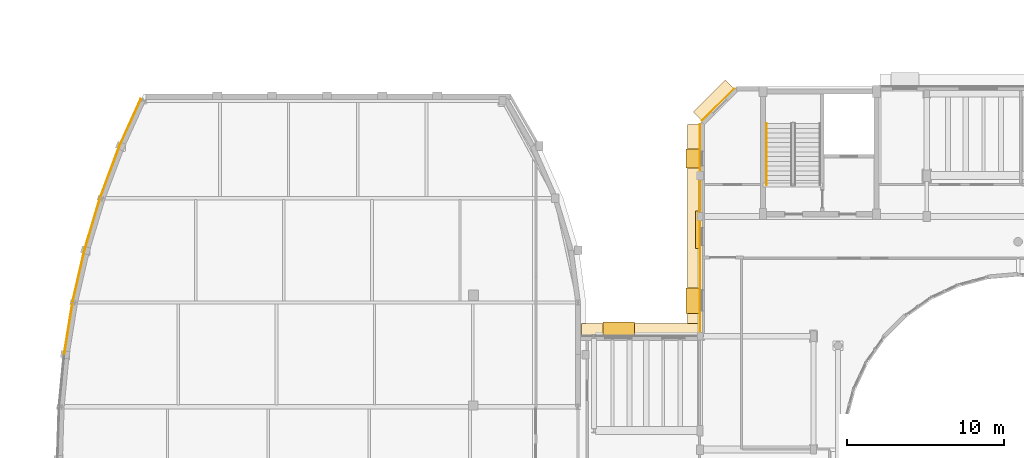
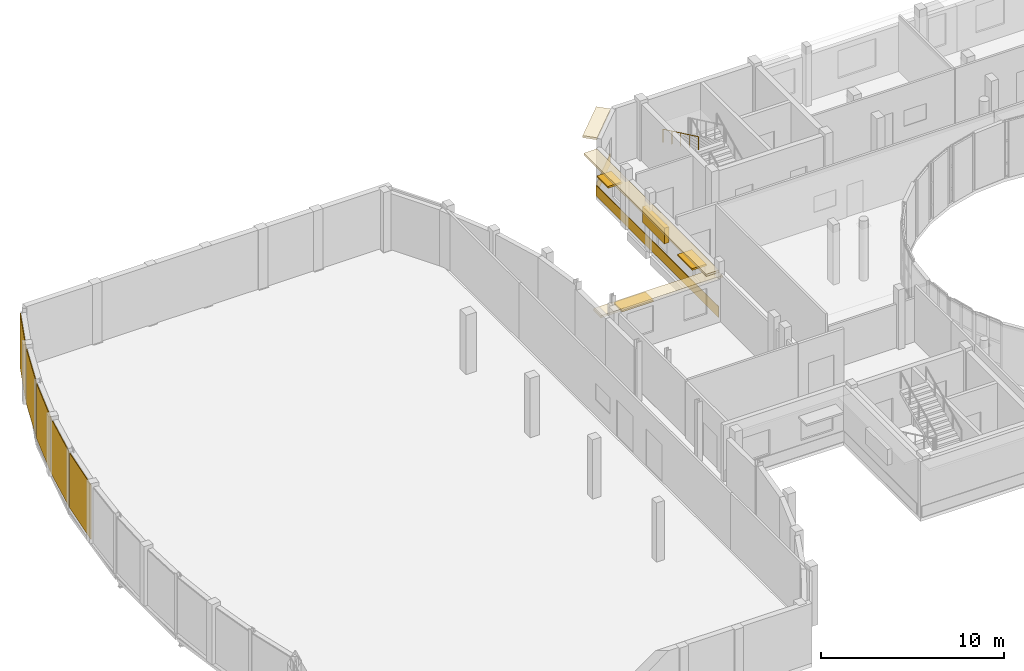
# One storey, part 98 of 105: 10 coverings, 4 shading devices, 1 railing.
"""IFC4 building model written with IfcOpenShell, lengths in metres."""

from ifc_helpers import new_model, si_unit, direction, frame, origin, origin_2d, place, context, subcontext, project, spatial, rectangle, circle, extrude, material, layer, layer_set, type_object, element, save


model = new_model("IFC4")

# Units and contexts
model_context = context("Model", 3, precision=1e-05, world=origin(), true_north=direction((0.0, 1.0)))
body_context = subcontext(model_context, "Body", "Model", "MODEL_VIEW")
ifc_project = project(units=[si_unit("LENGTHUNIT", "METRE"), si_unit("AREAUNIT", "SQUARE_METRE"), si_unit("VOLUMEUNIT", "CUBIC_METRE"), si_unit("PLANEANGLEUNIT", "RADIAN"), si_unit("MASSUNIT", "GRAM", prefix="KILO")], contexts=[model_context])

# Site, building, storey
site_placement = place(None, origin())
site = spatial("IfcSite", under=ifc_project, at=site_placement, CompositionType="ELEMENT")
building_placement = place(site_placement, origin())
building = spatial("IfcBuilding", under=site, at=building_placement, Name="Kelanivale Promenade Academy", CompositionType="ELEMENT")
storey_placement = place(building_placement, frame((0.0, 0.0, 4.199951171875)))
storey = spatial("IfcBuildingStorey", under=building, at=storey_placement, Name="L01", CompositionType="ELEMENT", Elevation=4.199951171875)

# Coverings
ifc_material_1 = material(Name="Sri Lankan terracotta fluted rainscreen cladding 45 mm", Category="masonry")
ifc_layer_1 = layer(ifc_material_1, 0.044921875)
ifc_layer_set_1 = layer_set([ifc_layer_1], Name="Sri Lankan terracotta fluted rainscreen cladding 45 mm")
covering_type_1 = type_object("IfcCoveringType", Name="COV-CLD1 Sri Lankan terracotta fluted rainscr", PredefinedType="CLADDING", material=ifc_layer_set_1)
covering_1_placement = place(storey_placement, frame((3.073974609375, 64.512939453125, 0.03955078125), z_axis=(0.0, 0.0, 1.0), x_axis=(-0.15936430246, -0.987219843349, 0.0)))
element("IfcCovering", 1, at=covering_1_placement, inside=storey, type_object=covering_type_1, Name="Sports Hall Crescent Pavilion fluted terracotta cladding panel", PredefinedType="CLADDING", context=body_context, shape_type="SweptSolid", body=[
    extrude(rectangle(XDim=3.277099609375, YDim=0.044921875, at=origin_2d()), origin(), (0.0, 0.0, 1.0), 3.6650390625),
])
covering_2_placement = place(storey_placement, frame((3.722900390625, 67.837890625, 0.03955078125), z_axis=(0.0, 0.0, 1.0), x_axis=(-0.223250116011, -0.974761194191, 0.0)))
element("IfcCovering", 2, at=covering_2_placement, inside=storey, type_object=covering_type_1, Name="Sports Hall Crescent Pavilion fluted terracotta cladding panel", PredefinedType="CLADDING", context=body_context, shape_type="SweptSolid", body=[
    extrude(rectangle(XDim=3.320068359375, YDim=0.044921875, at=origin_2d()), origin(), (0.0, 0.0, 1.0), 3.6650390625),
])
covering_3_placement = place(storey_placement, frame((4.60205078125, 71.1630859375, 0.03955078125), z_axis=(0.0, 0.0, 1.0), x_axis=(-0.287026159226, -0.957922744234, 0.0)))
element("IfcCovering", 3, at=covering_3_placement, inside=storey, type_object=covering_type_1, Name="Sports Hall Crescent Pavilion fluted terracotta cladding panel", PredefinedType="CLADDING", context=body_context, shape_type="SweptSolid", body=[
    extrude(rectangle(XDim=3.3798828125, YDim=0.044921875, at=origin_2d()), origin(), (0.0, 0.0, 1.0), 3.6650390625),
])
covering_4_placement = place(storey_placement, frame((5.722900390625, 74.488037109375, 0.03955078125), z_axis=(0.0, 0.0, 1.0), x_axis=(-0.350861216412, -0.936427470132, 0.0)))
element("IfcCovering", 4, at=covering_4_placement, inside=storey, type_object=covering_type_1, Name="Sports Hall Crescent Pavilion fluted terracotta cladding panel", PredefinedType="CLADDING", context=body_context, shape_type="SweptSolid", body=[
    extrude(rectangle(XDim=3.4599609375, YDim=0.044921875, at=origin_2d()), origin(), (0.0, 0.0, 1.0), 3.6650390625),
])
covering_5_placement = place(storey_placement, frame((7.02001953125, 77.631103515625, 0.03955078125), z_axis=(0.0, 0.0, 1.0), x_axis=(-0.414375580993, -0.910105970685, 0.0)))
element("IfcCovering", 5, at=covering_5_placement, inside=storey, type_object=covering_type_1, Name="Sports Hall Crescent Pavilion fluted terracotta cladding panel", PredefinedType="CLADDING", context=body_context, shape_type="SweptSolid", body=[
    extrude(rectangle(XDim=3.160888671875, YDim=0.044921875, at=origin_2d()), origin(), (0.0, 0.0, 1.0), 3.6650390625),
])
ifc_material_2 = material(Name="Warm ivory Art Deco stucco frieze band 40 mm", Category="masonry")
ifc_layer_2 = layer(ifc_material_2, 0.0400390625)
ifc_layer_set_2 = layer_set([ifc_layer_2], Name="Warm ivory Art Deco stucco frieze band 40 mm")
covering_type_2 = type_object("IfcCoveringType", Name="COV-CLD2 Warm ivory Art Deco stucco frieze ba", PredefinedType="CLADDING", material=ifc_layer_set_2)
covering_6_placement = place(storey_placement, frame((44.072021484375, 78.97802734375, 3.6201171875), z_axis=(0.0, 0.0, 1.0), x_axis=(-0.707106781187, -0.707106781187, 0.0)))
element("IfcCovering", 6, at=covering_6_placement, inside=storey, type_object=covering_type_2, Name="Art Deco projecting 820 mm streamline sunshade eyebrow ledge", PredefinedType="CLADDING", context=body_context, shape_type="SweptSolid", body=[
    extrude(rectangle(XDim=2.865966796875, YDim=0.820068359375, at=origin_2d()), origin(), (0.0, 0.0, 1.0), 0.139892578125),
])
covering_7_placement = place(storey_placement, frame((44.343994140625, 78.7060546875, 0.06005859375), z_axis=(0.0, 0.0, 1.0), x_axis=(-0.707106781187, -0.707106781187, 0.0)))
element("IfcCovering", 7, at=covering_7_placement, inside=storey, type_object=covering_type_2, Name="Art Deco ivory stucco sill frieze band", PredefinedType="CLADDING", context=body_context, shape_type="SweptSolid", body=[
    extrude(rectangle(XDim=2.865966796875, YDim=0.0400390625, at=origin_2d()), origin(), (0.0, 0.0, 1.0), 0.719970703125),
])
covering_8_placement = place(storey_placement, frame((42.800048828125, 70.76904296875, 3.06494140625), z_axis=(0.0, 0.0, 1.0), x_axis=(0.0, -1.0, 0.0)))
element("IfcCovering", 8, at=covering_8_placement, inside=storey, type_object=covering_type_2, Name="Art Deco projecting 820 mm streamline sunshade eyebrow ledge", PredefinedType="CLADDING", context=body_context, shape_type="SweptSolid", body=[
    extrude(rectangle(XDim=13.3779296875, YDim=0.820068359375, at=origin_2d()), origin(), (0.0, 0.0, 1.0), 0.139892578125),
])
covering_9_placement = place(storey_placement, frame((43.18505859375, 70.76904296875, 0.06005859375), z_axis=(0.0, 0.0, 1.0), x_axis=(0.0, -1.0, 0.0)))
element("IfcCovering", 9, at=covering_9_placement, inside=storey, type_object=covering_type_2, Name="Art Deco ivory stucco sill frieze band", PredefinedType="CLADDING", context=body_context, shape_type="SweptSolid", body=[
    extrude(rectangle(XDim=13.3779296875, YDim=0.0400390625, at=origin_2d()), origin(), (0.0, 0.0, 1.0), 0.719970703125),
])
covering_10_placement = place(storey_placement, frame((39.5400390625, 64.39990234375, 2.7001953125), z_axis=(0.0, 0.0, 1.0), x_axis=(-1.0, 0.0, 0.0)))
element("IfcCovering", 10, at=covering_10_placement, inside=storey, type_object=covering_type_2, Name="Art Deco projecting 820 mm streamline sunshade eyebrow ledge", PredefinedType="CLADDING", context=body_context, shape_type="SweptSolid", body=[
    extrude(rectangle(XDim=7.719970703125, YDim=0.820068359375, at=origin_2d()), origin(), (0.0, 0.0, 1.0), 0.139892578125),
])

# Railing
ifc_material_3 = material(Name="Brushed stainless steel grade 316", Category="steel")
railing_type = type_object("IfcRailingType", Name="HR-01 Pitch Handrail 900mm", PredefinedType="HANDRAIL", material=ifc_material_3)
railing_placement = place(storey_placement, frame((47.4150390625, 77.5048828125, 2.142822265625)))
element("IfcRailing", 11, at=railing_placement, inside=storey, type_object=railing_type, Name="L01 ST-04 stair handrail 2", PredefinedType="HANDRAIL", context=body_context, shape_type="SweptSolid", body=[
    extrude(circle(Radius=0.02392578125, at=origin_2d()), frame((0.0, 0.0, 0.8759765625), z_axis=(0.0, -0.902853205547, 0.429948937937), x_axis=(1.0, 0.0, 0.0)), (0.0, 0.0, 1.0), 4.319580078125),
    extrude(circle(Radius=0.02099609375, at=origin_2d()), origin(), (0.0, 0.0, 1.0), 0.851806640625),
    extrude(circle(Radius=0.02099609375, at=origin_2d()), frame((0.0, -0.97509765625, 0.46435546875)), (0.0, 0.0, 1.0), 0.851806640625),
    extrude(circle(Radius=0.02099609375, at=origin_2d()), frame((0.0, -1.949951171875, 0.9287109375)), (0.0, 0.0, 1.0), 0.851806640625),
    extrude(circle(Radius=0.02099609375, at=origin_2d()), frame((0.0, -2.9248046875, 1.392822265625)), (0.0, 0.0, 1.0), 0.851806640625),
    extrude(circle(Radius=0.02099609375, at=origin_2d()), frame((0.0, -3.89990234375, 1.857177734375)), (0.0, 0.0, 1.0), 0.851806640625),
])

# Shading devices
ifc_material_4 = material(Name="Precast concrete C40/50", Category="concrete")
ifc_layer_3 = layer(ifc_material_4, 0.1201171875)
ifc_layer_set_3 = layer_set([ifc_layer_3], Name="Precast concrete C40/50")
shading_device_type_1 = type_object("IfcShadingDeviceType", Name="SHD-01 Art Deco Sunshade Eyebrow 900mm", PredefinedType="USERDEFINED", material=ifc_layer_set_3)
shading_device_1_placement = place(storey_placement, frame((42.760009765625, 75.281982421875, 2.56005859375), z_axis=(0.0, 0.0, 1.0), x_axis=(0.0, -1.0, 0.0)))
element("IfcShadingDevice", 12, at=shading_device_1_placement, inside=storey, type_object=shading_device_type_1, Name="Art Deco 900 mm precast chajja window sunshade", ObjectType="SUNSHADE", PredefinedType="USERDEFINED", context=body_context, shape_type="SweptSolid", body=[
    extrude(rectangle(XDim=1.199951171875, YDim=0.89990234375, at=origin_2d()), origin(), (0.0, 0.0, 1.0), 0.1201171875),
])
shading_device_2_placement = place(storey_placement, frame((42.760009765625, 66.256103515625, 2.659912109375), z_axis=(0.0, 0.0, 1.0), x_axis=(0.0, -1.0, 0.0)))
element("IfcShadingDevice", 13, at=shading_device_2_placement, inside=storey, type_object=shading_device_type_1, Name="Art Deco 900 mm precast chajja window sunshade", ObjectType="SUNSHADE", PredefinedType="USERDEFINED", context=body_context, shape_type="SweptSolid", body=[
    extrude(rectangle(XDim=1.60009765625, YDim=0.89990234375, at=origin_2d()), origin(), (0.0, 0.0, 1.0), 0.1201171875),
])
shading_device_3_placement = place(storey_placement, frame((38.02001953125, 64.43994140625, 2.610107421875), z_axis=(0.0, 0.0, 1.0), x_axis=(-1.0, 0.0, 0.0)))
element("IfcShadingDevice", 14, at=shading_device_3_placement, inside=storey, type_object=shading_device_type_1, Name="Art Deco 900 mm precast chajja window sunshade", ObjectType="SUNSHADE", PredefinedType="USERDEFINED", context=body_context, shape_type="SweptSolid", body=[
    extrude(rectangle(XDim=2.0, YDim=0.89990234375, at=origin_2d()), origin(), (0.0, 0.0, 1.0), 0.1201171875),
])
ifc_material_5 = material(Name="Bronze anodised aluminium EN AW-6063 T6", Category="aluminium")
ifc_layer_4 = layer(ifc_material_5, 0.080078125)
ifc_layer_set_4 = layer_set([ifc_layer_4], Name="Bronze anodised aluminium EN AW-6063 T6")
shading_device_type_2 = type_object("IfcShadingDeviceType", Name="SHD-02 Perforated Brise-Soleil Screen", PredefinedType="JALOUSIE", material=ifc_layer_set_4)
shading_device_4_placement = place(storey_placement, frame((43.06494140625, 70.76904296875, 1.72509765625), z_axis=(0.0, 0.0, 1.0), x_axis=(0.0, -1.0, 0.0)))
element("IfcShadingDevice", 15, at=shading_device_4_placement, inside=storey, type_object=shading_device_type_2, Name="Perforated Art Deco brise-soleil louvre screen", PredefinedType="JALOUSIE", context=body_context, shape_type="SweptSolid", body=[
    extrude(rectangle(XDim=2.39990234375, YDim=0.280029296875, at=origin_2d()), origin(), (0.0, 0.0, 1.0), 1.050048828125),
])

save(model, "model.ifc")
